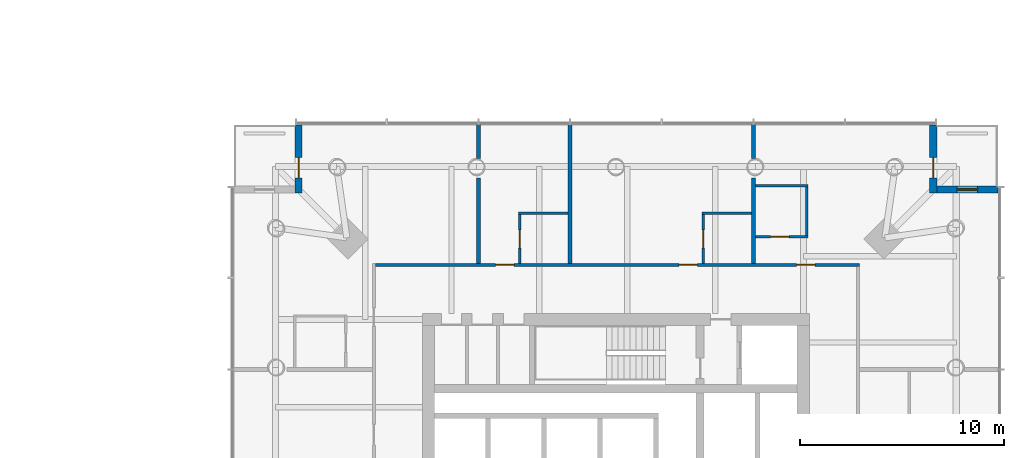
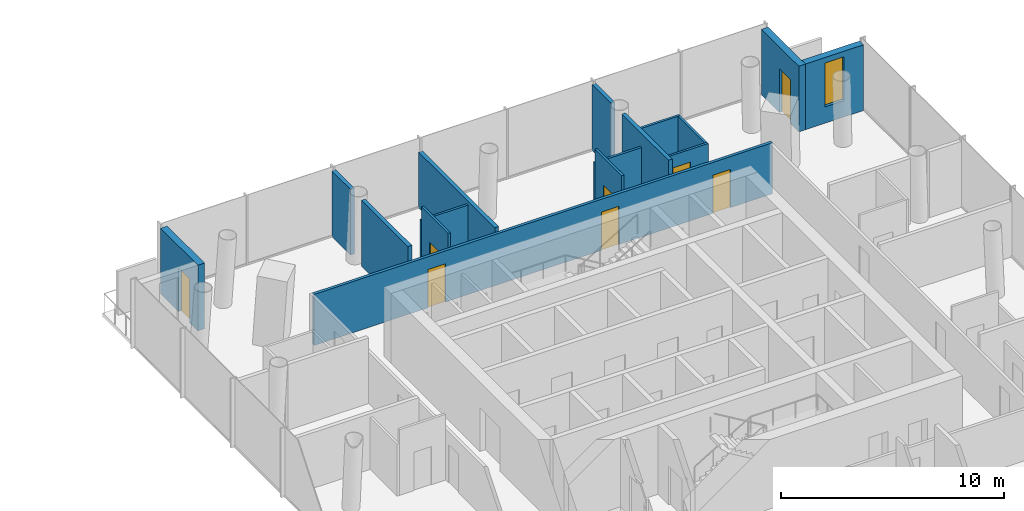
# One storey, part 15 of 18: 16 walls, 8 doors, 1 window, 9 openings.
"""IFC4 building model written with IfcOpenShell, lengths in metres."""

from ifc_helpers import new_model, si_unit, direction, frame, frame_2d, origin, place, context, subcontext, project, spatial, rectangle, extrude, material, layer, layer_set, type_object, element, fill, save


model = new_model("IFC4")

# Units and contexts
model_context = context("Model", 3, precision=1e-05, world=origin(), true_north=direction((0.0, 1.0)))
body_context = subcontext(model_context, "Body", "Model", "MODEL_VIEW")
ifc_project = project(units=[si_unit("LENGTHUNIT", "METRE"), si_unit("AREAUNIT", "SQUARE_METRE"), si_unit("VOLUMEUNIT", "CUBIC_METRE"), si_unit("PLANEANGLEUNIT", "RADIAN"), si_unit("MASSUNIT", "GRAM", prefix="KILO")], contexts=[model_context])

# Site, building, storey
site_placement = place(None, origin())
site = spatial("IfcSite", under=ifc_project, at=site_placement, CompositionType="ELEMENT")
building_placement = place(site_placement, origin())
building = spatial("IfcBuilding", under=site, at=building_placement, Name="Ostroluk Exchange", CompositionType="ELEMENT")
storey_placement = place(building_placement, frame((0.0, 0.0, 74.199951171875)))
storey = spatial("IfcBuildingStorey", under=building, at=storey_placement, Name="L18", CompositionType="ELEMENT", Elevation=74.199951171875)

# Wall, opening, door
ifc_material_1 = material(Name="Limestone", Category="masonry")
ifc_layer_1 = layer(ifc_material_1, 0.35009765625)
ifc_layer_set_1 = layer_set([ifc_layer_1], Name="Limestone facade wall 350")
wall_type_1 = type_object("IfcWallType", Name="Limestone facade wall 350", PredefinedType="SOLIDWALL", material=ifc_layer_set_1)
wall_1_placement = place(storey_placement, frame((132.574951171875, 64.75, 0.0), z_axis=(0.0, 0.0, 1.0), x_axis=(0.0, -1.0, 0.0)))
wall_1 = element("IfcWall", 1, at=wall_1_placement, inside=storey, type_object=wall_type_1, Name="Hotel tower NE corner wall L18 a", PredefinedType="SOLIDWALL", context=body_context, shape_type="SweptSolid", body=[
    extrude(rectangle(XDim=3.35009765625, YDim=0.35009765625, at=frame_2d((1.675048828125, 0.0))), origin(), (0.0, 0.0, 1.0), 3.60009765625),
])
opening_1_placement = place(wall_1_placement, frame((1.60009765625, 0.0, 0.0)))
opening_1 = element("IfcOpeningElement", 2, at=opening_1_placement, cuts=wall_1, Name="Opening D-B1", PredefinedType="OPENING", context=body_context, shape_type="SweptSolid", body=[
    extrude(rectangle(XDim=1.0, YDim=2.39990234375, at=frame_2d((0.5, 1.199951171875))), frame((0.0, 0.18505859375, 0.0), z_axis=(0.0, -1.0, 0.0), x_axis=(1.0, 0.0, 0.0)), (0.0, 0.0, 1.0), 0.3701171875),
])
ifc_material_2 = material(Name="Bronze framed glazed door", Category="aluminium")
door_type_1 = type_object("IfcDoorType", Name="Balcony door 1000 x 2400", OperationType="SINGLE_SWING_LEFT", PredefinedType="DOOR", material=ifc_material_2)
door_1_placement = place(opening_1_placement, origin())
door_1 = element("IfcDoor", 3, at=door_1_placement, inside=storey, type_object=door_type_1, Name="Hotel tower NE balcony door L18", OperationType="SINGLE_SWING_RIGHT", OverallHeight=2.39990234375, OverallWidth=1.0, PredefinedType="DOOR", context=body_context, shape_type="SweptSolid", body=[
    extrude(rectangle(XDim=1.0, YDim=2.39990234375, at=frame_2d((0.5, 1.199951171875))), frame((0.0, 0.02490234375, 0.0), z_axis=(0.0, -1.0, 0.0), x_axis=(1.0, 0.0, 0.0)), (0.0, 0.0, 1.0), 0.050048828125),
])
fill(opening_1, door_1)

# Wall, opening, window
wall_2_placement = place(storey_placement, frame((132.75, 61.574951171875, 0.0), z_axis=(0.0, 0.0, 1.0), x_axis=(1.0, 0.0, 0.0)))
wall_2 = element("IfcWall", 4, at=wall_2_placement, inside=storey, type_object=wall_type_1, Name="Hotel tower NE corner wall L18 b", PredefinedType="SOLIDWALL", context=body_context, shape_type="SweptSolid", body=[
    extrude(rectangle(XDim=3.0, YDim=0.35009765625, at=frame_2d((1.5, 0.0))), origin(), (0.0, 0.0, 1.0), 3.60009765625),
])
opening_2_placement = place(wall_2_placement, frame((1.0, 0.0, 0.89990234375)))
opening_2 = element("IfcOpeningElement", 5, at=opening_2_placement, cuts=wall_2, Name="Opening WN-L3", PredefinedType="OPENING", context=body_context, shape_type="SweptSolid", body=[
    extrude(rectangle(XDim=1.0, YDim=2.39990234375, at=frame_2d((0.5, 1.199951171875))), frame((0.0, 0.18505859375, 0.0), z_axis=(0.0, -1.0, 0.0), x_axis=(1.0, 0.0, 0.0)), (0.0, 0.0, 1.0), 0.3701171875),
])
ifc_material_3 = material(Name="Laminated clear glass", Category="glass")
window_type = type_object("IfcWindowType", Name="Hotel lancet window 1000 x 2400", PartitioningType="SINGLE_PANEL", PredefinedType="WINDOW", material=ifc_material_3)
window_placement = place(opening_2_placement, origin())
window = element("IfcWindow", 6, at=window_placement, inside=storey, type_object=window_type, Name="Hotel tower NE lancet window L18", OverallHeight=2.39990234375, OverallWidth=1.0, PartitioningType="SINGLE_PANEL", PredefinedType="WINDOW", context=body_context, shape_type="SweptSolid", body=[
    extrude(rectangle(XDim=1.0, YDim=2.39990234375, at=frame_2d((0.5, 1.199951171875))), frame((0.0, 0.030029296875, 0.0), z_axis=(0.0, -1.0, 0.0), x_axis=(1.0, 0.0, 0.0)), (0.0, 0.0, 1.0), 0.06005859375),
])
fill(opening_2, window)

# Wall, opening, door
wall_3_placement = place(storey_placement, frame((101.425048828125, 64.75, 0.0), z_axis=(0.0, 0.0, 1.0), x_axis=(0.0, -1.0, 0.0)))
wall_3 = element("IfcWall", 7, at=wall_3_placement, inside=storey, type_object=wall_type_1, Name="Hotel tower NW corner wall L18 a", PredefinedType="SOLIDWALL", context=body_context, shape_type="SweptSolid", body=[
    extrude(rectangle(XDim=3.35009765625, YDim=0.35009765625, at=frame_2d((1.675048828125, 0.0))), origin(), (0.0, 0.0, 1.0), 3.60009765625),
])
opening_3_placement = place(wall_3_placement, frame((1.60009765625, 0.0, 0.0)))
opening_3 = element("IfcOpeningElement", 8, at=opening_3_placement, cuts=wall_3, Name="Opening D-B1", PredefinedType="OPENING", context=body_context, shape_type="SweptSolid", body=[
    extrude(rectangle(XDim=1.0, YDim=2.39990234375, at=frame_2d((0.5, 1.199951171875))), frame((0.0, 0.18505859375, 0.0), z_axis=(0.0, -1.0, 0.0), x_axis=(1.0, 0.0, 0.0)), (0.0, 0.0, 1.0), 0.3701171875),
])
door_2_placement = place(opening_3_placement, origin())
door_2 = element("IfcDoor", 9, at=door_2_placement, inside=storey, type_object=door_type_1, Name="Hotel tower NW balcony door L18", OperationType="SINGLE_SWING_RIGHT", OverallHeight=2.39990234375, OverallWidth=1.0, PredefinedType="DOOR", context=body_context, shape_type="SweptSolid", body=[
    extrude(rectangle(XDim=1.0, YDim=2.39990234375, at=frame_2d((0.5, 1.199951171875))), frame((0.0, 0.02490234375, 0.0), z_axis=(0.0, -1.0, 0.0), x_axis=(1.0, 0.0, 0.0)), (0.0, 0.0, 1.0), 0.050048828125),
])
fill(opening_3, door_2)

ifc_material_4 = material(Name="Gypsum plasterboard partition, moisture resistant", Category="gypsum")
ifc_layer_2 = layer(ifc_material_4, 0.1201171875)
ifc_layer_set_2 = layer_set([ifc_layer_2], Name="Plasterboard en-suite wall 120")
wall_type_2 = type_object("IfcWallType", Name="Plasterboard en-suite wall 120", PredefinedType="PARTITIONING", material=ifc_layer_set_2)
wall_4_placement = place(storey_placement, frame((123.85009765625, 59.25, 0.0), z_axis=(0.0, 0.0, 1.0), x_axis=(1.0, 0.0, 0.0)))
wall_4 = element("IfcWall", 10, at=wall_4_placement, inside=storey, type_object=wall_type_2, Name="En-suite wall", PredefinedType="PARTITIONING", context=body_context, shape_type="SweptSolid", body=[
    extrude(rectangle(XDim=2.579833984375, YDim=0.1201171875, at=frame_2d((1.2900390625, 0.0))), origin(), (0.0, 0.0, 1.0), 2.800048828125),
])
opening_4_placement = place(wall_4_placement, frame((0.75, 0.0, 0.0)))
opening_4 = element("IfcOpeningElement", 11, at=opening_4_placement, cuts=wall_4, Name="Opening D-02", PredefinedType="OPENING", context=body_context, shape_type="SweptSolid", body=[
    extrude(rectangle(XDim=0.89990234375, YDim=2.10009765625, at=frame_2d((0.449951171875, 1.050048828125))), frame((0.0, 0.070068359375, 0.0), z_axis=(0.0, -1.0, 0.0), x_axis=(1.0, 0.0, 0.0)), (0.0, 0.0, 1.0), 0.14013671875),
])
ifc_material_5 = material(Name="Timber", Category="wood")
door_type_2 = type_object("IfcDoorType", Name="En-suite door 900 x 2100", OperationType="SINGLE_SWING_LEFT", PredefinedType="DOOR", material=ifc_material_5)
door_3_placement = place(opening_4_placement, origin())
door_3 = element("IfcDoor", 12, at=door_3_placement, inside=storey, type_object=door_type_2, Name="En-suite door 1804", OperationType="SINGLE_SWING_LEFT", OverallHeight=2.10009765625, OverallWidth=0.89990234375, PredefinedType="DOOR", context=body_context, shape_type="SweptSolid", body=[
    extrude(rectangle(XDim=0.89990234375, YDim=2.10009765625, at=frame_2d((0.449951171875, 1.050048828125))), frame((0.0, 0.02490234375, 0.0), z_axis=(0.0, -1.0, 0.0), x_axis=(1.0, 0.0, 0.0)), (0.0, 0.0, 1.0), 0.050048828125),
])
fill(opening_4, door_3)

# Walls
wall_5_placement = place(storey_placement, frame((123.85009765625, 61.77001953125, 0.0), z_axis=(0.0, 0.0, 1.0), x_axis=(1.0, 0.0, 0.0)))
element("IfcWall", 13, at=wall_5_placement, inside=storey, type_object=wall_type_2, Name="En-suite wall", PredefinedType="PARTITIONING", context=body_context, shape_type="SweptSolid", body=[
    extrude(rectangle(XDim=2.579833984375, YDim=0.1201171875, at=frame_2d((1.2900390625, 0.0))), origin(), (0.0, 0.0, 1.0), 2.800048828125),
])
wall_6_placement = place(storey_placement, frame((126.3701171875, 59.31005859375, 0.0), z_axis=(0.0, 0.0, 1.0), x_axis=(0.0, 1.0, 0.0)))
element("IfcWall", 14, at=wall_6_placement, inside=storey, type_object=wall_type_2, Name="En-suite wall", PredefinedType="PARTITIONING", context=body_context, shape_type="SweptSolid", body=[
    extrude(rectangle(XDim=2.39990234375, YDim=0.1201171875, at=frame_2d((1.199951171875, 0.0))), origin(), (0.0, 0.0, 1.0), 2.800048828125),
])
wall_7_placement = place(storey_placement, frame((123.64990234375, 60.409912109375, 0.0), z_axis=(0.0, 0.0, 1.0), x_axis=(-1.0, 0.0, 0.0)))
element("IfcWall", 15, at=wall_7_placement, inside=storey, type_object=wall_type_2, Name="En-suite wall", PredefinedType="PARTITIONING", context=body_context, shape_type="SweptSolid", body=[
    extrude(rectangle(XDim=2.419921875, YDim=0.1201171875, at=frame_2d((1.2099609375, 0.0))), origin(), (0.0, 0.0, 1.0), 2.84716796875),
])

# Wall, opening, door
wall_8_placement = place(storey_placement, frame((121.2900390625, 57.949951171875, 0.0), z_axis=(0.0, 0.0, 1.0), x_axis=(0.0, 1.0, 0.0)))
wall_8 = element("IfcWall", 16, at=wall_8_placement, inside=storey, type_object=wall_type_2, Name="En-suite wall", PredefinedType="PARTITIONING", context=body_context, shape_type="SweptSolid", body=[
    extrude(rectangle(XDim=2.400146484375, YDim=0.1201171875, at=frame_2d((1.2001953125, 0.0))), origin(), (0.0, 0.0, 1.0), 3.60009765625),
])
opening_5_placement = place(wall_8_placement, frame((0.75, 0.0, 0.0)))
opening_5 = element("IfcOpeningElement", 17, at=opening_5_placement, cuts=wall_8, Name="Opening D-02", PredefinedType="OPENING", context=body_context, shape_type="SweptSolid", body=[
    extrude(rectangle(XDim=0.89990234375, YDim=2.10009765625, at=frame_2d((0.449951171875, 1.050048828125))), frame((0.0, 0.070068359375, 0.0), z_axis=(0.0, -1.0, 0.0), x_axis=(1.0, 0.0, 0.0)), (0.0, 0.0, 1.0), 0.14013671875),
])
door_4_placement = place(opening_5_placement, origin())
door_4 = element("IfcDoor", 18, at=door_4_placement, inside=storey, type_object=door_type_2, Name="En-suite door 1805", OperationType="SINGLE_SWING_RIGHT", OverallHeight=2.10009765625, OverallWidth=0.89990234375, PredefinedType="DOOR", context=body_context, shape_type="SweptSolid", body=[
    extrude(rectangle(XDim=0.89990234375, YDim=2.10009765625, at=frame_2d((0.449951171875, 1.050048828125))), frame((0.0, 0.02490234375, 0.0), z_axis=(0.0, -1.0, 0.0), x_axis=(1.0, 0.0, 0.0)), (0.0, 0.0, 1.0), 0.050048828125),
])
fill(opening_5, door_4)

# Wall
wall_9_placement = place(storey_placement, frame((114.64990234375, 60.409912109375, 0.0), z_axis=(0.0, 0.0, 1.0), x_axis=(-1.0, 0.0, 0.0)))
element("IfcWall", 19, at=wall_9_placement, inside=storey, type_object=wall_type_2, Name="En-suite wall", PredefinedType="PARTITIONING", context=body_context, shape_type="SweptSolid", body=[
    extrude(rectangle(XDim=2.419921875, YDim=0.1201171875, at=frame_2d((1.2099609375, 0.0))), origin(), (0.0, 0.0, 1.0), 2.84716796875),
])

# Wall, opening, door
wall_10_placement = place(storey_placement, frame((112.2900390625, 57.949951171875, 0.0), z_axis=(0.0, 0.0, 1.0), x_axis=(0.0, 1.0, 0.0)))
wall_10 = element("IfcWall", 20, at=wall_10_placement, inside=storey, type_object=wall_type_2, Name="En-suite wall", PredefinedType="PARTITIONING", context=body_context, shape_type="SweptSolid", body=[
    extrude(rectangle(XDim=2.400146484375, YDim=0.1201171875, at=frame_2d((1.2001953125, 0.0))), origin(), (0.0, 0.0, 1.0), 3.60009765625),
])
opening_6_placement = place(wall_10_placement, frame((0.75, 0.0, 0.0)))
opening_6 = element("IfcOpeningElement", 21, at=opening_6_placement, cuts=wall_10, Name="Opening D-02", PredefinedType="OPENING", context=body_context, shape_type="SweptSolid", body=[
    extrude(rectangle(XDim=0.89990234375, YDim=2.10009765625, at=frame_2d((0.449951171875, 1.050048828125))), frame((0.0, 0.070068359375, 0.0), z_axis=(0.0, -1.0, 0.0), x_axis=(1.0, 0.0, 0.0)), (0.0, 0.0, 1.0), 0.14013671875),
])
door_5_placement = place(opening_6_placement, origin())
door_5 = element("IfcDoor", 22, at=door_5_placement, inside=storey, type_object=door_type_2, Name="En-suite door 1806", OperationType="SINGLE_SWING_RIGHT", OverallHeight=2.10009765625, OverallWidth=0.89990234375, PredefinedType="DOOR", context=body_context, shape_type="SweptSolid", body=[
    extrude(rectangle(XDim=0.89990234375, YDim=2.10009765625, at=frame_2d((0.449951171875, 1.050048828125))), frame((0.0, 0.02490234375, 0.0), z_axis=(0.0, -1.0, 0.0), x_axis=(1.0, 0.0, 0.0)), (0.0, 0.0, 1.0), 0.050048828125),
])
fill(opening_6, door_5)

# Wall, openings, doors
ifc_material_6 = material(Name="Gypsum plasterboard partition", Category="gypsum")
ifc_layer_3 = layer(ifc_material_6, 0.14990234375)
ifc_layer_set_3 = layer_set([ifc_layer_3], Name="Plasterboard partition 150")
wall_type_3 = type_object("IfcWallType", Name="Plasterboard partition 150", PredefinedType="PARTITIONING", material=ifc_layer_set_3)
wall_11_placement = place(storey_placement, frame((128.949951171875, 57.875, 0.0), z_axis=(0.0, 0.0, 1.0), x_axis=(-1.0, 0.0, 0.0)))
wall_11 = element("IfcWall", 23, at=wall_11_placement, inside=storey, type_object=wall_type_3, Name="Corridor wall", PredefinedType="PARTITIONING", context=body_context, shape_type="SweptSolid", body=[
    extrude(rectangle(XDim=23.75, YDim=0.14990234375, at=frame_2d((11.875, 0.0))), origin(), (0.0, 0.0, 1.0), 2.800048828125),
])
opening_7_placement = place(wall_11_placement, frame((2.175048828125, 0.0, 0.0)))
opening_7 = element("IfcOpeningElement", 24, at=opening_7_placement, cuts=wall_11, Name="Opening D-01", PredefinedType="OPENING", context=body_context, shape_type="SweptSolid", body=[
    extrude(rectangle(XDim=0.89990234375, YDim=2.10009765625, at=frame_2d((0.449951171875, 1.050048828125))), frame((0.0, 0.0849609375, 0.0), z_axis=(0.0, -1.0, 0.0), x_axis=(1.0, 0.0, 0.0)), (0.0, 0.0, 1.0), 0.169921875),
])
opening_8_placement = place(wall_11_placement, frame((7.949951171875, 0.0, 0.0)))
opening_8 = element("IfcOpeningElement", 25, at=opening_8_placement, cuts=wall_11, Name="Opening D-01", PredefinedType="OPENING", context=body_context, shape_type="SweptSolid", body=[
    extrude(rectangle(XDim=0.89990234375, YDim=2.10009765625, at=frame_2d((0.449951171875, 1.050048828125))), frame((0.0, 0.0849609375, 0.0), z_axis=(0.0, -1.0, 0.0), x_axis=(1.0, 0.0, 0.0)), (0.0, 0.0, 1.0), 0.169921875),
])
opening_9_placement = place(wall_11_placement, frame((16.949951171875, 0.0, 0.0)))
opening_9 = element("IfcOpeningElement", 26, at=opening_9_placement, cuts=wall_11, Name="Opening D-01", PredefinedType="OPENING", context=body_context, shape_type="SweptSolid", body=[
    extrude(rectangle(XDim=0.89990234375, YDim=2.10009765625, at=frame_2d((0.449951171875, 1.050048828125))), frame((0.0, 0.0849609375, 0.0), z_axis=(0.0, -1.0, 0.0), x_axis=(1.0, 0.0, 0.0)), (0.0, 0.0, 1.0), 0.169921875),
])
ifc_material_7 = material(Name="Timber", Category="wood")
door_type_3 = type_object("IfcDoorType", Name="Hotel room door EI 30 Sa 900 x 2100", OperationType="SINGLE_SWING_LEFT", PredefinedType="DOOR", material=ifc_material_7)
door_6_placement = place(opening_7_placement, origin())
door_6 = element("IfcDoor", 27, at=door_6_placement, inside=storey, type_object=door_type_3, Name="Room door 1804", OperationType="SINGLE_SWING_LEFT", OverallHeight=2.10009765625, OverallWidth=0.89990234375, PredefinedType="DOOR", context=body_context, shape_type="SweptSolid", body=[
    extrude(rectangle(XDim=0.89990234375, YDim=2.10009765625, at=frame_2d((0.449951171875, 1.050048828125))), frame((0.0, 0.02490234375, 0.0), z_axis=(0.0, -1.0, 0.0), x_axis=(1.0, 0.0, 0.0)), (0.0, 0.0, 1.0), 0.050048828125),
])
fill(opening_7, door_6)
door_7_placement = place(opening_8_placement, origin())
door_7 = element("IfcDoor", 28, at=door_7_placement, inside=storey, type_object=door_type_3, Name="Room door 1805", OperationType="SINGLE_SWING_LEFT", OverallHeight=2.10009765625, OverallWidth=0.89990234375, PredefinedType="DOOR", context=body_context, shape_type="SweptSolid", body=[
    extrude(rectangle(XDim=0.89990234375, YDim=2.10009765625, at=frame_2d((0.449951171875, 1.050048828125))), frame((0.0, 0.02490234375, 0.0), z_axis=(0.0, -1.0, 0.0), x_axis=(1.0, 0.0, 0.0)), (0.0, 0.0, 1.0), 0.050048828125),
])
fill(opening_8, door_7)
door_8_placement = place(opening_9_placement, origin())
door_8 = element("IfcDoor", 29, at=door_8_placement, inside=storey, type_object=door_type_3, Name="Room door 1806", OperationType="SINGLE_SWING_RIGHT", OverallHeight=2.10009765625, OverallWidth=0.89990234375, PredefinedType="DOOR", context=body_context, shape_type="SweptSolid", body=[
    extrude(rectangle(XDim=0.89990234375, YDim=2.10009765625, at=frame_2d((0.449951171875, 1.050048828125))), frame((0.0, 0.02490234375, 0.0), z_axis=(0.0, -1.0, 0.0), x_axis=(1.0, 0.0, 0.0)), (0.0, 0.0, 1.0), 0.050048828125),
])
fill(opening_9, door_8)

# Walls
ifc_material_8 = material(Name="Gypsum plasterboard partition", Category="gypsum")
ifc_layer_4 = layer(ifc_material_8, 0.199951171875)
ifc_layer_set_4 = layer_set([ifc_layer_4], Name="Plasterboard party wall 200")
wall_type_4 = type_object("IfcWallType", Name="Plasterboard party wall 200", PredefinedType="PARTITIONING", material=ifc_layer_set_4)
wall_12_placement = place(storey_placement, frame((123.75, 57.949951171875, 0.0), z_axis=(0.0, 0.0, 1.0), x_axis=(0.0, 1.0, 0.0)))
element("IfcWall", 30, at=wall_12_placement, inside=storey, type_object=wall_type_4, Name="Party wall", PredefinedType="PARTITIONING", context=body_context, shape_type="SweptSolid", body=[
    extrude(rectangle(XDim=4.186767578125, YDim=0.199951171875, at=frame_2d((2.09326171875, 0.0))), origin(), (0.0, 0.0, 1.0), 3.60009765625),
])
wall_13_placement = place(storey_placement, frame((123.75, 63.11328125, 0.0), z_axis=(0.0, 0.0, 1.0), x_axis=(0.0, 1.0, 0.0)))
element("IfcWall", 31, at=wall_13_placement, inside=storey, type_object=wall_type_4, Name="Party wall", PredefinedType="PARTITIONING", context=body_context, shape_type="SweptSolid", body=[
    extrude(rectangle(XDim=1.6767578125, YDim=0.199951171875, at=frame_2d((0.83837890625, 0.0))), origin(), (0.0, 0.0, 1.0), 3.60009765625),
])
wall_14_placement = place(storey_placement, frame((114.75, 57.949951171875, 0.0), z_axis=(0.0, 0.0, 1.0), x_axis=(0.0, 1.0, 0.0)))
element("IfcWall", 32, at=wall_14_placement, inside=storey, type_object=wall_type_4, Name="Party wall", PredefinedType="PARTITIONING", context=body_context, shape_type="SweptSolid", body=[
    extrude(rectangle(XDim=6.840087890625, YDim=0.199951171875, at=frame_2d((3.419921875, 0.0))), origin(), (0.0, 0.0, 1.0), 3.050048828125),
])
wall_15_placement = place(storey_placement, frame((110.25, 57.949951171875, 0.0), z_axis=(0.0, 0.0, 1.0), x_axis=(0.0, 1.0, 0.0)))
element("IfcWall", 33, at=wall_15_placement, inside=storey, type_object=wall_type_4, Name="Party wall", PredefinedType="PARTITIONING", context=body_context, shape_type="SweptSolid", body=[
    extrude(rectangle(XDim=4.186767578125, YDim=0.199951171875, at=frame_2d((2.09326171875, 0.0))), origin(), (0.0, 0.0, 1.0), 3.60009765625),
])
wall_16_placement = place(storey_placement, frame((110.25, 63.11328125, 0.0), z_axis=(0.0, 0.0, 1.0), x_axis=(0.0, 1.0, 0.0)))
element("IfcWall", 34, at=wall_16_placement, inside=storey, type_object=wall_type_4, Name="Party wall", PredefinedType="PARTITIONING", context=body_context, shape_type="SweptSolid", body=[
    extrude(rectangle(XDim=1.6767578125, YDim=0.199951171875, at=frame_2d((0.83837890625, 0.0))), origin(), (0.0, 0.0, 1.0), 3.60009765625),
])

save(model, "model.ifc")
